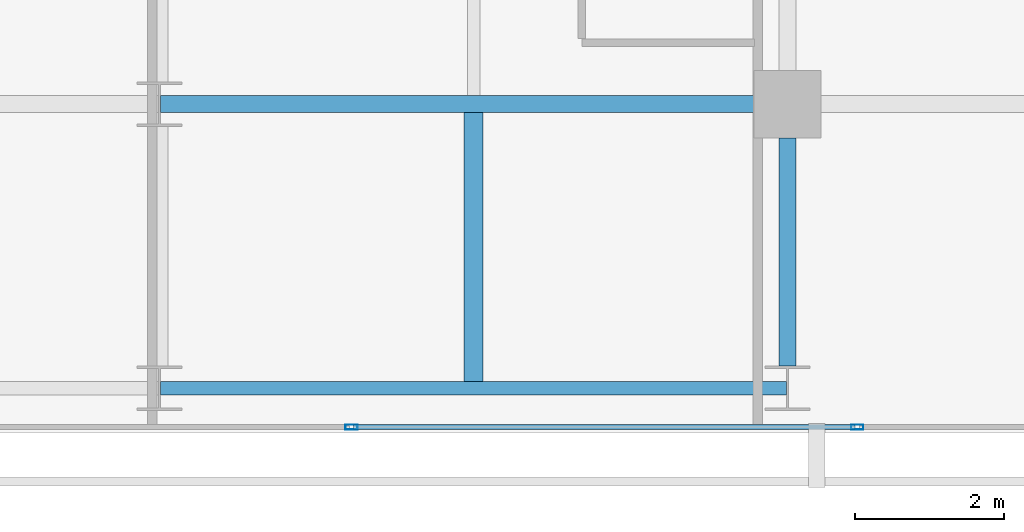
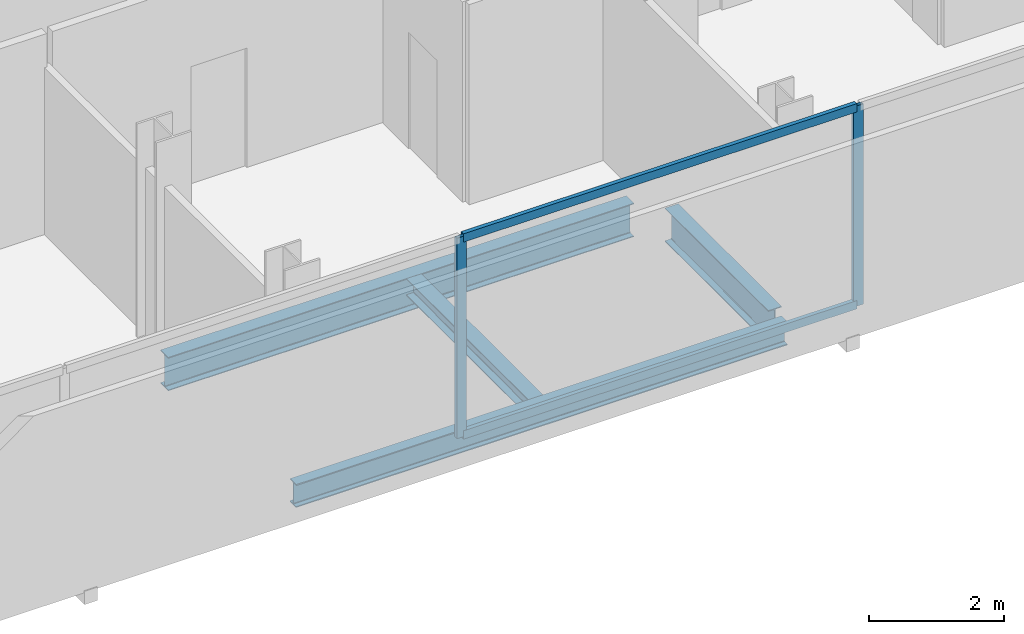
# One storey, part 12 of 34: 4 beams, 4 members, 1 element without a shape of its own.
"""IFC4 building model written with IfcOpenShell, lengths in metres."""

from ifc_helpers import new_model, si_unit, direction, frame, origin, origin_2d, place, context, subcontext, project, spatial, hollow_rectangle, i_section, extrude, material, layer, layer_set, material_profile, profile_set, type_object, element, aggregate, save


model = new_model("IFC4")

# Units and contexts
model_context = context("Model", 3, precision=1e-05, world=origin(), true_north=direction((0.0, 1.0)))
body_context = subcontext(model_context, "Body", "Model", "MODEL_VIEW")
ifc_project = project(units=[si_unit("LENGTHUNIT", "METRE"), si_unit("AREAUNIT", "SQUARE_METRE"), si_unit("VOLUMEUNIT", "CUBIC_METRE"), si_unit("PLANEANGLEUNIT", "RADIAN"), si_unit("MASSUNIT", "GRAM", prefix="KILO")], contexts=[model_context])

# Site, building, storey
site_placement = place(None, origin())
site = spatial("IfcSite", under=ifc_project, at=site_placement, CompositionType="ELEMENT")
building_placement = place(site_placement, origin())
building = spatial("IfcBuilding", under=site, at=building_placement, Name="Maruvema Waterfront Hotel and Observation Tower", CompositionType="ELEMENT")
storey_placement = place(building_placement, frame((0.0, 0.0, 181.300048828125)))
storey = spatial("IfcBuildingStorey", under=building, at=storey_placement, Name="L44", CompositionType="ELEMENT", Elevation=181.300048828125)

# Curtain wall, members
ifc_material_1 = material(Name="Anodised bronze aluminium and solar-control low-E IGU", Category="aluminium")
ifc_layer = layer(ifc_material_1, 0.159912109375, Name="Zone 2 Amber Inner Thermal Curtain Wall System CW-03")
ifc_layer_set = layer_set([ifc_layer], Name="Anodised bronze aluminium and solar-control low-E IGU")
curtain_wall_type = type_object("IfcCurtainWallType", Name="Zone 2 Amber Inner Thermal Curtain Wall System CW-03", PredefinedType="USERDEFINED", material=ifc_layer_set)
curtain_wall_placement = place(storey_placement, origin())
curtain_wall = element("IfcCurtainWall", 1, at=curtain_wall_placement, inside=storey, type_object=curtain_wall_type, Name="L44 Curtain Wall CW-L44-S", ObjectType="UNITISED CURTAIN WALL", PredefinedType="USERDEFINED")
ifc_material_2 = material(Name="Anodised architectural bronze aluminium", Category="aluminium")
ifc_material_profile_1 = material_profile(ifc_material_2, hollow_rectangle(XDim=0.070068359375, YDim=0.14990234375, WallThickness=0.00390625, at=origin_2d()), Name="ALU-T70x150")
ifc_profile_set_1 = profile_set([ifc_material_profile_1], Name="Anodised architectural bronze aluminium")
member_type_1 = type_object("IfcMemberType", Name="Curtain Wall Horizontal Transom ALU-T70x150", PredefinedType="USERDEFINED", material=ifc_profile_set_1)
member_1_placement = place(storey_placement, frame((44.5966796875, 4.679931640625, 0.030029296875), z_axis=(1.0, 0.0, 0.0), x_axis=(0.0, 1.0, 0.0)))
member_1 = element("IfcMember", 2, at=member_1_placement, type_object=member_type_1, Name="CW-03 transom 5.1", ObjectType="TRANSOM", PredefinedType="USERDEFINED", context=body_context, shape_type="SweptSolid", body=[
    extrude(hollow_rectangle(XDim=0.070068359375, YDim=0.14990234375, WallThickness=0.00390625, at=origin_2d()), origin(), (0.0, 0.0, 1.0), 6.70654296875),
])
member_2_placement = place(storey_placement, frame((44.5966796875, 4.679931640625, 3.579833984375), z_axis=(1.0, 0.0, 0.0), x_axis=(0.0, 1.0, 0.0)))
member_2 = element("IfcMember", 3, at=member_2_placement, type_object=member_type_1, Name="CW-03 transom 5.2", ObjectType="TRANSOM", PredefinedType="USERDEFINED", context=body_context, shape_type="SweptSolid", body=[
    extrude(hollow_rectangle(XDim=0.070068359375, YDim=0.14990234375, WallThickness=0.00390625, at=origin_2d()), origin(), (0.0, 0.0, 1.0), 6.70654296875),
])
ifc_material_3 = material(Name="Anodised architectural bronze aluminium", Category="aluminium")
ifc_material_profile_2 = material_profile(ifc_material_3, hollow_rectangle(XDim=0.06494140625, YDim=0.1650390625, WallThickness=0.00390625, at=origin_2d()), Name="ALU-M65x165")
ifc_profile_set_2 = profile_set([ifc_material_profile_2], Name="Anodised architectural bronze aluminium")
member_type_2 = type_object("IfcMemberType", Name="Curtain Wall Primary Mullion ALU-M65x165", PredefinedType="MULLION", material=ifc_profile_set_2)
member_3_placement = place(storey_placement, frame((44.566650390625, 4.679931640625, 0.0), z_axis=(0.0, 0.0, 1.0), x_axis=(0.0, 1.0, 0.0)))
member_3 = element("IfcMember", 4, at=member_3_placement, type_object=member_type_2, Name="CW-03 mullion 5", PredefinedType="MULLION", context=body_context, shape_type="SweptSolid", body=[
    extrude(hollow_rectangle(XDim=0.06494140625, YDim=0.1650390625, WallThickness=0.00390625, at=origin_2d()), origin(), (0.0, 0.0, 1.0), 3.60986328125),
])
member_4_placement = place(storey_placement, frame((51.333251953125, 4.679931640625, 0.0), z_axis=(0.0, 0.0, 1.0), x_axis=(0.0, 1.0, 0.0)))
member_4 = element("IfcMember", 5, at=member_4_placement, type_object=member_type_2, Name="CW-03 mullion 6", PredefinedType="MULLION", context=body_context, shape_type="SweptSolid", body=[
    extrude(hollow_rectangle(XDim=0.06494140625, YDim=0.1650390625, WallThickness=0.00390625, at=origin_2d()), origin(), (0.0, 0.0, 1.0), 3.60986328125),
])
aggregate(curtain_wall, [member_3, member_4, member_1, member_2])

# Beams
ifc_material_4 = material(Name="Steel ASTM A572 Grade 50", Category="steel")
ifc_material_profile_3 = material_profile(ifc_material_4, i_section(OverallWidth=0.180908203125, OverallDepth=0.4169921875, WebThickness=0.010986328125, FlangeThickness=0.018310546875, FilletRadius=0.014892578125, at=origin_2d()), Name="W410x85.0")
ifc_profile_set_3 = profile_set([ifc_material_profile_3], Name="Steel ASTM A572 Grade 50")
beam_type_1 = type_object("IfcBeamType", Name="Perimeter Spandrel Beam W410x85.0", PredefinedType="SPANDREL", material=ifc_profile_set_3)
beam_1_placement = place(storey_placement, frame((42.012451171875, 5.199951171875, -0.448486328125), z_axis=(1.0, 0.0, 0.0), x_axis=(0.0, 1.0, 0.0)))
element("IfcBeam", 6, at=beam_1_placement, inside=storey, type_object=beam_type_1, Name="L44 Floor Girder EW-03", PredefinedType="SPANDREL", context=body_context, shape_type="SweptSolid", body=[
    extrude(i_section(OverallWidth=0.180908203125, OverallDepth=0.4169921875, WebThickness=0.010986328125, FlangeThickness=0.018310546875, FilletRadius=0.014892578125, at=origin_2d()), origin(), (0.0, 0.0, 1.0), 8.375),
])
ifc_material_5 = material(Name="Steel ASTM A572 Grade 50", Category="steel")
ifc_material_profile_4 = material_profile(ifc_material_5, i_section(OverallWidth=0.22802734375, OverallDepth=0.60302734375, WebThickness=0.010498046875, FlangeThickness=0.014892578125, FilletRadius=0.01806640625, at=origin_2d()), Name="W610x101.0")
ifc_profile_set_4 = profile_set([ifc_material_profile_4], Name="Steel ASTM A572 Grade 50")
beam_type_2 = type_object("IfcBeamType", Name="Primary Floor Girder W610x101.0", PredefinedType="BEAM", material=ifc_profile_set_4)
beam_2_placement = place(storey_placement, frame((42.012451171875, 9.0, -0.54150390625), z_axis=(1.0, 0.0, 0.0), x_axis=(0.0, 1.0, 0.0)))
element("IfcBeam", 7, at=beam_2_placement, inside=storey, type_object=beam_type_2, Name="L44 Floor Girder EW-08", PredefinedType="BEAM", context=body_context, shape_type="SweptSolid", body=[
    extrude(i_section(OverallWidth=0.22802734375, OverallDepth=0.60302734375, WebThickness=0.010498046875, FlangeThickness=0.014892578125, FilletRadius=0.01806640625, at=origin_2d()), origin(), (0.0, 0.0, 1.0), 7.9375),
])
beam_3_placement = place(storey_placement, frame((50.39990234375, 5.5, -0.54150390625), z_axis=(0.0, 1.0, 0.0), x_axis=(-1.0, 0.0, 0.0)))
element("IfcBeam", 8, at=beam_3_placement, inside=storey, type_object=beam_type_2, Name="L44 Floor Girder NS-20", PredefinedType="BEAM", context=body_context, shape_type="SweptSolid", body=[
    extrude(i_section(OverallWidth=0.22802734375, OverallDepth=0.60302734375, WebThickness=0.010498046875, FlangeThickness=0.014892578125, FilletRadius=0.01806640625, at=origin_2d()), origin(), (0.0, 0.0, 1.0), 3.050048828125),
])
ifc_material_6 = material(Name="Steel ASTM A572 Grade 50", Category="steel")
ifc_material_profile_5 = material_profile(ifc_material_6, i_section(OverallWidth=0.25390625, OverallDepth=0.305908203125, WebThickness=0.0087890625, FlangeThickness=0.0146484375, FilletRadius=0.014892578125, at=origin_2d()), Name="W310x79.0")
ifc_profile_set_5 = profile_set([ifc_material_profile_5], Name="Steel ASTM A572 Grade 50")
beam_type_3 = type_object("IfcBeamType", Name="Secondary Floor Joist W310x79.0", PredefinedType="JOIST", material=ifc_profile_set_5)
beam_4_placement = place(storey_placement, frame((46.199951171875, 5.29052734375, -0.39306640625), z_axis=(0.0, 1.0, 0.0), x_axis=(-1.0, 0.0, 0.0)))
element("IfcBeam", 9, at=beam_4_placement, inside=storey, type_object=beam_type_3, Name="L44 Secondary Floor Joist JS-09", PredefinedType="JOIST", context=body_context, shape_type="SweptSolid", body=[
    extrude(i_section(OverallWidth=0.25390625, OverallDepth=0.305908203125, WebThickness=0.0087890625, FlangeThickness=0.0146484375, FilletRadius=0.014892578125, at=origin_2d()), origin(), (0.0, 0.0, 1.0), 3.595458984375),
])

save(model, "model.ifc")
